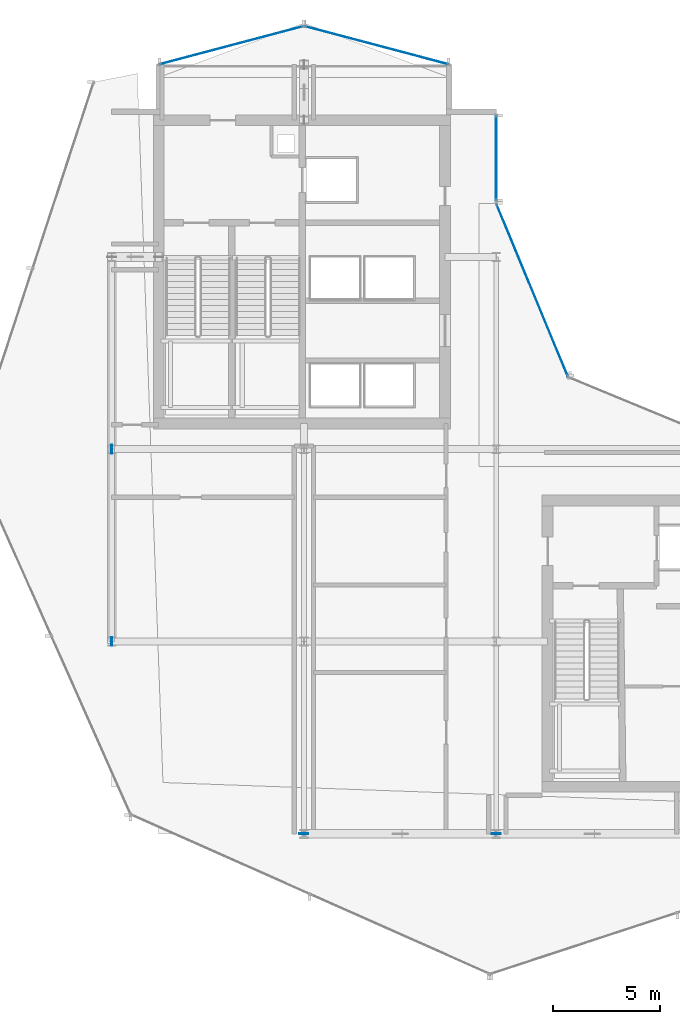
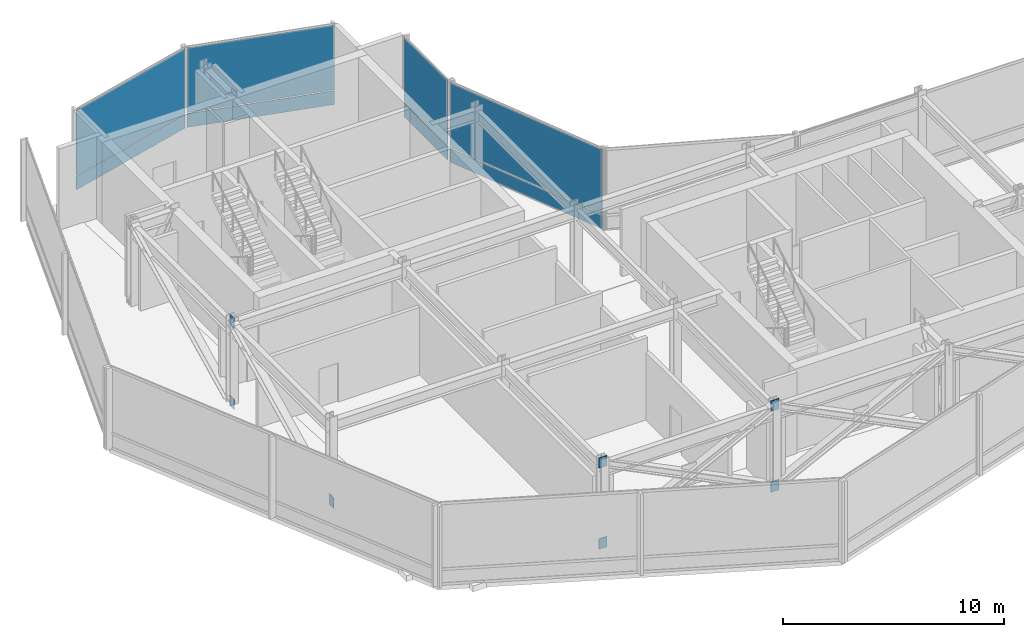
# One storey, part 20 of 30: 15 plates, 4 elements without a shape of their own.
"""IFC4 building model written with IfcOpenShell, lengths in metres."""

from ifc_helpers import new_model, si_unit, direction, frame, origin, origin_2d, place, context, subcontext, project, spatial, rectangle, extrude, material, layer, layer_set, type_object, element, aggregate, save


model = new_model("IFC4")

# Units and contexts
model_context = context("Model", 3, precision=1e-05, world=origin(), true_north=direction((0.0, 1.0)))
body_context = subcontext(model_context, "Body", "Model", "MODEL_VIEW")
ifc_project = project(units=[si_unit("LENGTHUNIT", "METRE"), si_unit("AREAUNIT", "SQUARE_METRE"), si_unit("VOLUMEUNIT", "CUBIC_METRE"), si_unit("PLANEANGLEUNIT", "RADIAN"), si_unit("MASSUNIT", "GRAM", prefix="KILO")], contexts=[model_context])

# Site, building, storey
site_placement = place(None, origin())
site = spatial("IfcSite", under=ifc_project, at=site_placement, CompositionType="ELEMENT")
building_placement = place(site_placement, origin())
building = spatial("IfcBuilding", under=site, at=building_placement, Name="Solvaryn Broadcast Tower", CompositionType="ELEMENT")
storey_placement = place(building_placement, frame((0.0, 0.0, 196.39990234375)))
storey = spatial("IfcBuildingStorey", under=building, at=storey_placement, Name="L49", CompositionType="ELEMENT", Elevation=196.39990234375)

# Curtain wall, plates
ifc_material_1 = material(Name="Aluminium and Terracotta Unitised Curtain Wall", Category="masonry")
ifc_layer_1 = layer(ifc_material_1, 0.199951171875)
ifc_layer_set_1 = layer_set([ifc_layer_1], Name="CW-SYS2-LOWMID")
curtain_wall_type = type_object("IfcCurtainWallType", Name="CW-SYS2-LOWMID", PredefinedType="NOTDEFINED", material=ifc_layer_set_1)
curtain_wall_1_placement = place(storey_placement, origin())
curtain_wall_1 = element("IfcCurtainWall", 1, at=curtain_wall_1_placement, inside=storey, type_object=curtain_wall_type, Name="L49 Curtain Wall IV", PredefinedType="NOTDEFINED")
ifc_material_2 = material(Name="Kiln-Fired Architectural Terracotta Spandrel", Category="masonry")
ifc_layer_2 = layer(ifc_material_2, 0.048095703125)
ifc_layer_set_2 = layer_set([ifc_layer_2], Name="CW-PNL-TERRACOTTA")
plate_type_1 = type_object("IfcPlateType", Name="CW-PNL-TERRACOTTA", PredefinedType="CURTAIN_PANEL", material=ifc_layer_set_2)
plate_1_placement = place(storey_placement, frame((27.0, 40.625, 0.06005859375), z_axis=(0.0, 0.0, 1.0), x_axis=(0.0, -1.0, 0.0)))
plate_1 = element("IfcPlate", 2, at=plate_1_placement, type_object=plate_type_1, Name="CWS2 panel 1.1", PredefinedType="CURTAIN_PANEL", context=body_context, shape_type="SweptSolid", body=[
    extrude(rectangle(XDim=3.929931640625, YDim=0.028076171875, at=origin_2d()), origin(), (0.0, 0.0, 1.0), 0.760009765625),
])
plate_2_placement = place(storey_placement, frame((27.0, 40.625, 0.880126953125), z_axis=(0.0, 0.0, 1.0), x_axis=(0.0, -1.0, 0.0)))
plate_2 = element("IfcPlate", 3, at=plate_2_placement, type_object=plate_type_1, Name="CWS2 panel 1.2", PredefinedType="CURTAIN_PANEL", context=body_context, shape_type="SweptSolid", body=[
    extrude(rectangle(XDim=3.929931640625, YDim=0.028076171875, at=origin_2d()), origin(), (0.0, 0.0, 1.0), 3.580078125),
])
aggregate(curtain_wall_1, [plate_1, plate_2])

curtain_wall_2_placement = place(storey_placement, origin())
curtain_wall_2 = element("IfcCurtainWall", 4, at=curtain_wall_2_placement, inside=storey, type_object=curtain_wall_type, Name="L49 Curtain Wall CN2", PredefinedType="NOTDEFINED")
plate_3_placement = place(storey_placement, frame((28.68408203125, 34.43408203125, 0.06005859375), z_axis=(0.0, 0.0, 1.0), x_axis=(-0.382646127145, 0.923894983957, 0.0)))
plate_3 = element("IfcPlate", 5, at=plate_3_placement, type_object=plate_type_1, Name="CWS2 panel 1.1", PredefinedType="CURTAIN_PANEL", context=body_context, shape_type="SweptSolid", body=[
    extrude(rectangle(XDim=8.681884765625, YDim=0.028076171875, at=origin_2d()), origin(), (0.0, 0.0, 1.0), 0.760009765625),
])
plate_4_placement = place(storey_placement, frame((28.68408203125, 34.43408203125, 0.880126953125), z_axis=(0.0, 0.0, 1.0), x_axis=(-0.382646127145, 0.923894983957, 0.0)))
plate_4 = element("IfcPlate", 6, at=plate_4_placement, type_object=plate_type_1, Name="CWS2 panel 1.2", PredefinedType="CURTAIN_PANEL", context=body_context, shape_type="SweptSolid", body=[
    extrude(rectangle(XDim=8.681884765625, YDim=0.028076171875, at=origin_2d()), origin(), (0.0, 0.0, 1.0), 3.580078125),
])
aggregate(curtain_wall_2, [plate_3, plate_4])

curtain_wall_3_placement = place(storey_placement, origin())
curtain_wall_3 = element("IfcCurtainWall", 7, at=curtain_wall_3_placement, inside=storey, type_object=curtain_wall_type, Name="L49 Curtain Wall NT1", PredefinedType="NOTDEFINED")
plate_5_placement = place(storey_placement, frame((21.39990234375, 45.89990234375, 0.06005859375), z_axis=(0.0, 0.0, 1.0), x_axis=(-0.966705227863, 0.25589256031, 0.0)))
plate_5 = element("IfcPlate", 8, at=plate_5_placement, type_object=plate_type_1, Name="CWS2 panel 1.1", PredefinedType="CURTAIN_PANEL", context=body_context, shape_type="SweptSolid", body=[
    extrude(rectangle(XDim=6.914306640625, YDim=0.028076171875, at=origin_2d()), origin(), (0.0, 0.0, 1.0), 0.760009765625),
])
plate_6_placement = place(storey_placement, frame((21.39990234375, 45.89990234375, 0.880126953125), z_axis=(0.0, 0.0, 1.0), x_axis=(-0.966705227863, 0.25589256031, 0.0)))
plate_6 = element("IfcPlate", 9, at=plate_6_placement, type_object=plate_type_1, Name="CWS2 panel 1.2", PredefinedType="CURTAIN_PANEL", context=body_context, shape_type="SweptSolid", body=[
    extrude(rectangle(XDim=6.914306640625, YDim=0.028076171875, at=origin_2d()), origin(), (0.0, 0.0, 1.0), 3.580078125),
])
aggregate(curtain_wall_3, [plate_5, plate_6])

curtain_wall_4_placement = place(storey_placement, origin())
curtain_wall_4 = element("IfcCurtainWall", 10, at=curtain_wall_4_placement, inside=storey, type_object=curtain_wall_type, Name="L49 Curtain Wall NT2", PredefinedType="NOTDEFINED")
plate_7_placement = place(storey_placement, frame((14.60009765625, 45.89990234375, 0.06005859375), z_axis=(0.0, 0.0, 1.0), x_axis=(-0.966705227863, -0.25589256031, 0.0)))
plate_7 = element("IfcPlate", 11, at=plate_7_placement, type_object=plate_type_1, Name="CWS2 panel 1.1", PredefinedType="CURTAIN_PANEL", context=body_context, shape_type="SweptSolid", body=[
    extrude(rectangle(XDim=6.914306640625, YDim=0.028076171875, at=origin_2d()), origin(), (0.0, 0.0, 1.0), 0.760009765625),
])
plate_8_placement = place(storey_placement, frame((14.60009765625, 45.89990234375, 0.880126953125), z_axis=(0.0, 0.0, 1.0), x_axis=(-0.966705227863, -0.25589256031, 0.0)))
plate_8 = element("IfcPlate", 12, at=plate_8_placement, type_object=plate_type_1, Name="CWS2 panel 1.2", PredefinedType="CURTAIN_PANEL", context=body_context, shape_type="SweptSolid", body=[
    extrude(rectangle(XDim=6.914306640625, YDim=0.028076171875, at=origin_2d()), origin(), (0.0, 0.0, 1.0), 3.580078125),
])
aggregate(curtain_wall_4, [plate_7, plate_8])

# Plates
ifc_material_3 = material(Name="Steel ASTM A572 Grade 50", Category="steel")
ifc_layer_3 = layer(ifc_material_3, 0.031982421875)
ifc_layer_set_3 = layer_set([ifc_layer_3], Name="PL-ENDCAP-32")
plate_type_2 = type_object("IfcPlateType", Name="PL-ENDCAP-32", PredefinedType="USERDEFINED", material=ifc_layer_set_3)
for number, where, z_axis, x_axis, name in (
    (13, (18.0, 9.0, -0.27001953125), (0.0, 0.0, 1.0), (1.0, 0.0, 0.0), "L49 South Belt X-Brace 3 Continuous Diagonal End Plate A"),
    (14, (27.0, 9.0, 4.2099609375), (0.0, 0.0, 1.0), (1.0, 0.0, 0.0), "L49 South Belt X-Brace 3 Continuous Diagonal End Plate B"),
    (15, (27.0, 9.0, -0.27001953125), (0.0, 0.0, 1.0), (1.0, 0.0, 0.0), "L49 South Belt X-Brace 3 End Plate 2A"),
    (16, (18.0, 9.0, 4.2099609375), (0.0, 0.0, 1.0), (1.0, 0.0, 0.0), "L49 South Belt X-Brace 3 End Plate 2B"),
):
    element("IfcPlate", number, at=place(storey_placement, frame(where, z_axis=z_axis, x_axis=x_axis)), inside=storey, type_object=plate_type_2, Name=name, ObjectType="FLANGE_PLATE", PredefinedType="USERDEFINED", context=body_context, shape_type="SweptSolid", body=[
        extrude(rectangle(XDim=0.419921875, YDim=0.031982421875, at=origin_2d()), origin(), (0.0, 0.0, 1.0), 0.580078125),
    ])
for number, where, z_axis, x_axis, name in (
    (17, (9.0, 18.0, -0.27001953125), (0.0, 0.0, 1.0), (1.0, 0.0, 0.0), "L49 West Belt Diagonal 3 End Plate A"),
    (18, (9.0, 27.0, 4.2099609375), (0.0, 0.0, 1.0), (1.0, 0.0, 0.0), "L49 West Belt Diagonal 3 End Plate B"),
    (19, (9.0, 27.0, -0.27001953125), (0.0, 0.0, 1.0), (1.0, 0.0, 0.0), "L49 West Belt Diagonal 4 End Plate A"),
):
    element("IfcPlate", number, at=place(storey_placement, frame(where, z_axis=z_axis, x_axis=x_axis)), inside=storey, type_object=plate_type_2, Name=name, ObjectType="FLANGE_PLATE", PredefinedType="USERDEFINED", context=body_context, shape_type="SweptSolid", body=[
        extrude(rectangle(XDim=0.031982421875, YDim=0.419921875, at=origin_2d()), origin(), (0.0, 0.0, 1.0), 0.580078125),
    ])

save(model, "model.ifc")
